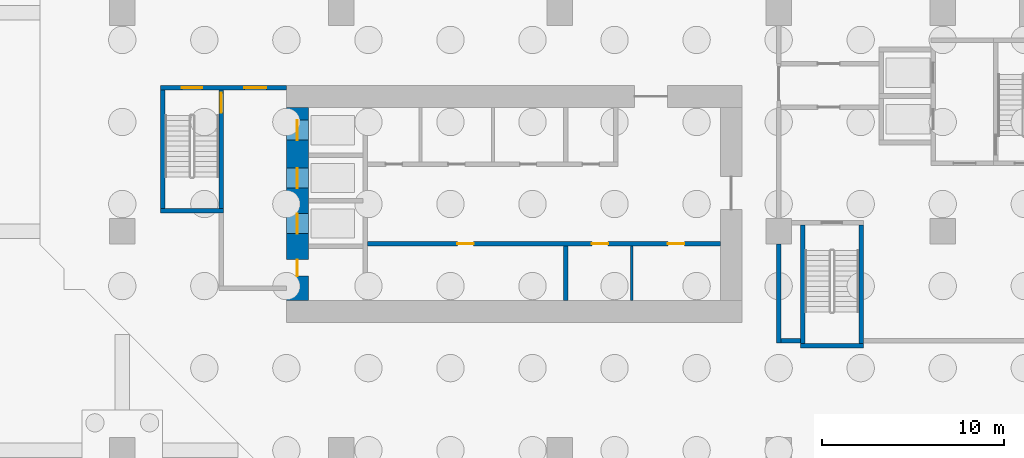
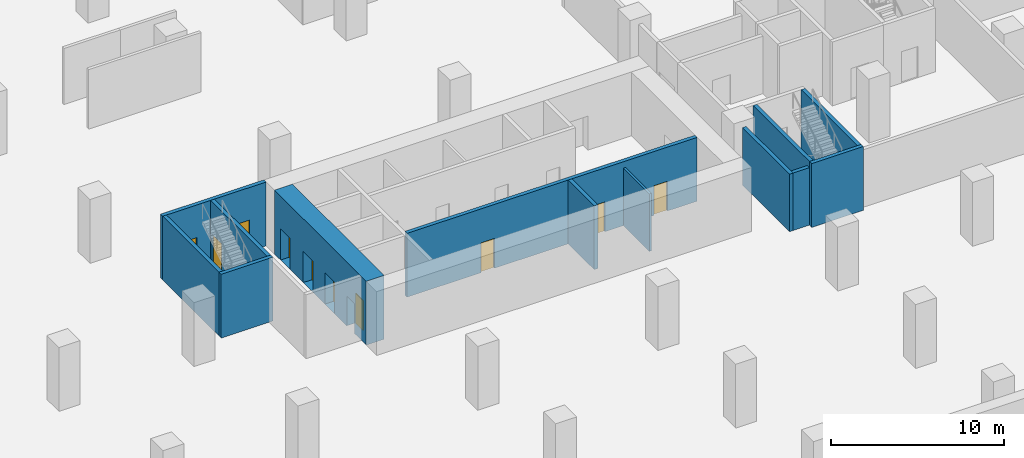
# One storey, part 6 of 13: 13 walls, 10 doors, 10 openings.
"""IFC4 building model written with IfcOpenShell, lengths in metres."""

from ifc_helpers import new_model, si_unit, direction, frame, frame_2d, origin, place, context, subcontext, project, spatial, rectangle, extrude, material, layer, layer_set, type_object, element, fill, save


model = new_model("IFC4")

# Units and contexts
model_context = context("Model", 3, precision=1e-05, world=origin(), true_north=direction((0.0, 1.0)))
body_context = subcontext(model_context, "Body", "Model", "MODEL_VIEW")
ifc_project = project(units=[si_unit("LENGTHUNIT", "METRE"), si_unit("AREAUNIT", "SQUARE_METRE"), si_unit("VOLUMEUNIT", "CUBIC_METRE"), si_unit("PLANEANGLEUNIT", "RADIAN"), si_unit("MASSUNIT", "GRAM", prefix="KILO")], contexts=[model_context])

# Site, building, storey
site_placement = place(None, origin())
site = spatial("IfcSite", under=ifc_project, at=site_placement, CompositionType="ELEMENT")
building_placement = place(site_placement, origin())
building = spatial("IfcBuilding", under=site, at=building_placement, Name="Chenar Terraces", CompositionType="ELEMENT")
storey_placement = place(building_placement, frame((0.0, 0.0, -13.5)))
storey = spatial("IfcBuildingStorey", under=building, at=storey_placement, Name="B3", CompositionType="ELEMENT", Elevation=-13.5)

# Wall
ifc_material_1 = material(Name="Gypsum board on steel studs", Category="steel")
ifc_layer_1 = layer(ifc_material_1, 0.14990234375)
ifc_layer_set_1 = layer_set([ifc_layer_1], Name="Gypsum board on steel studs")
wall_type_1 = type_object("IfcWallType", Name="Core partition 150 gypsum board", PredefinedType="PARTITIONING", material=ifc_layer_set_1)
wall_1_placement = place(storey_placement, frame((27.949951171875, 8.199951171875, 0.0), z_axis=(0.0, 0.0, 1.0), x_axis=(0.0, 1.0, 0.0)))
element("IfcWall", 1, at=wall_1_placement, inside=storey, type_object=wall_type_1, Name="Core partition CP1 freed bay wall", PredefinedType="PARTITIONING", context=body_context, shape_type="SweptSolid", body=[
    extrude(rectangle(XDim=3.0, YDim=0.14990234375, at=frame_2d((1.5, 0.0))), origin(), (0.0, 0.0, 1.0), 4.050048828125),
])

# Wall, openings, doors
ifc_material_2 = material(Name="Concrete C70/85", Category="concrete")
ifc_layer_2 = layer(ifc_material_2, 1.199951171875)
ifc_layer_set_2 = layer_set([ifc_layer_2], Name="Concrete C70/85")
wall_type_2 = type_object("IfcWallType", Name="Core wall 1200 Concrete C70/85", PredefinedType="SHEAR", material=ifc_layer_set_2)
wall_2_placement = place(storey_placement, frame((9.60009765625, 8.199951171875, 0.0), z_axis=(0.0, 0.0, 1.0), x_axis=(0.0, 1.0, 0.0)))
wall_2 = element("IfcWall", 2, at=wall_2_placement, inside=storey, type_object=wall_type_2, Name="Core wall W B3", PredefinedType="SHEAR", context=body_context, shape_type="SweptSolid", body=[
    extrude(rectangle(XDim=10.60009765625, YDim=1.199951171875, at=frame_2d((5.300048828125, 0.0))), origin(), (0.0, 0.0, 1.0), 4.5),
])
opening_1_placement = place(wall_2_placement, frame((3.675048828125, 0.0, 0.0)))
opening_1 = element("IfcOpeningElement", 3, at=opening_1_placement, cuts=wall_2, Name="Opening DB3-LD1", PredefinedType="OPENING", context=body_context, shape_type="SweptSolid", body=[
    extrude(rectangle(XDim=1.10009765625, YDim=2.199951171875, at=frame_2d((0.550048828125, 1.10009765625))), frame((0.0, 0.60986328125, 0.0), z_axis=(0.0, -1.0, 0.0), x_axis=(1.0, 0.0, 0.0)), (0.0, 0.0, 1.0), 1.219970703125),
])
opening_2_placement = place(wall_2_placement, frame((6.175048828125, 0.0, 0.0)))
opening_2 = element("IfcOpeningElement", 4, at=opening_2_placement, cuts=wall_2, Name="Opening DB3-LD2", PredefinedType="OPENING", context=body_context, shape_type="SweptSolid", body=[
    extrude(rectangle(XDim=1.10009765625, YDim=2.199951171875, at=frame_2d((0.550048828125, 1.10009765625))), frame((0.0, 0.60986328125, 0.0), z_axis=(0.0, -1.0, 0.0), x_axis=(1.0, 0.0, 0.0)), (0.0, 0.0, 1.0), 1.219970703125),
])
opening_3_placement = place(wall_2_placement, frame((8.800048828125, 0.0, 0.0)))
opening_3 = element("IfcOpeningElement", 5, at=opening_3_placement, cuts=wall_2, Name="Opening DB3-LD3", PredefinedType="OPENING", context=body_context, shape_type="SweptSolid", body=[
    extrude(rectangle(XDim=1.10009765625, YDim=2.199951171875, at=frame_2d((0.550048828125, 1.10009765625))), frame((0.0, 0.60986328125, 0.0), z_axis=(0.0, -1.0, 0.0), x_axis=(1.0, 0.0, 0.0)), (0.0, 0.0, 1.0), 1.219970703125),
])
opening_4_placement = place(wall_2_placement, frame((1.35009765625, 0.0, 0.0)))
opening_4 = element("IfcOpeningElement", 6, at=opening_4_placement, cuts=wall_2, Name="Opening DB3-C4", PredefinedType="OPENING", context=body_context, shape_type="SweptSolid", body=[
    extrude(rectangle(XDim=0.89990234375, YDim=2.10009765625, at=frame_2d((0.449951171875, 1.050048828125))), frame((0.0, 0.60986328125, 0.0), z_axis=(0.0, -1.0, 0.0), x_axis=(1.0, 0.0, 0.0)), (0.0, 0.0, 1.0), 1.219970703125),
])
ifc_material_3 = material(Name="Stainless steel", Category="steel")
door_type_1 = type_object("IfcDoorType", Name="Lift landing door 1100 x 2200 sliding", OperationType="DOUBLE_DOOR_SLIDING", PredefinedType="DOOR", material=ifc_material_3)
door_1_placement = place(opening_1_placement, origin())
door_1 = element("IfcDoor", 7, at=door_1_placement, inside=storey, type_object=door_type_1, Name="Landing door S1", OperationType="DOUBLE_DOOR_SLIDING", OverallHeight=2.199951171875, OverallWidth=1.10009765625, PredefinedType="DOOR", context=body_context, shape_type="SweptSolid", body=[
    extrude(rectangle(XDim=1.10009765625, YDim=2.199951171875, at=frame_2d((0.550048828125, 1.10009765625))), frame((0.0, 0.02490234375, 0.0), z_axis=(0.0, -1.0, 0.0), x_axis=(1.0, 0.0, 0.0)), (0.0, 0.0, 1.0), 0.050048828125),
])
fill(opening_1, door_1)
door_2_placement = place(opening_2_placement, origin())
door_2 = element("IfcDoor", 8, at=door_2_placement, inside=storey, type_object=door_type_1, Name="Landing door F1", OperationType="DOUBLE_DOOR_SLIDING", OverallHeight=2.199951171875, OverallWidth=1.10009765625, PredefinedType="DOOR", context=body_context, shape_type="SweptSolid", body=[
    extrude(rectangle(XDim=1.10009765625, YDim=2.199951171875, at=frame_2d((0.550048828125, 1.10009765625))), frame((0.0, 0.02490234375, 0.0), z_axis=(0.0, -1.0, 0.0), x_axis=(1.0, 0.0, 0.0)), (0.0, 0.0, 1.0), 0.050048828125),
])
fill(opening_2, door_2)
door_3_placement = place(opening_3_placement, origin())
door_3 = element("IfcDoor", 9, at=door_3_placement, inside=storey, type_object=door_type_1, Name="Landing door F2", OperationType="DOUBLE_DOOR_SLIDING", OverallHeight=2.199951171875, OverallWidth=1.10009765625, PredefinedType="DOOR", context=body_context, shape_type="SweptSolid", body=[
    extrude(rectangle(XDim=1.10009765625, YDim=2.199951171875, at=frame_2d((0.550048828125, 1.10009765625))), frame((0.0, 0.02490234375, 0.0), z_axis=(0.0, -1.0, 0.0), x_axis=(1.0, 0.0, 0.0)), (0.0, 0.0, 1.0), 0.050048828125),
])
fill(opening_3, door_3)
ifc_material_4 = material(Name="Steel-framed fire-resisting door leaf", Category="steel")
door_type_2 = type_object("IfcDoorType", Name="Riser fire door FD60 900 x 2100", OperationType="SINGLE_SWING_LEFT", PredefinedType="DOOR", material=ifc_material_4)
door_4_placement = place(opening_4_placement, frame((0.89990234375, 0.0, 0.0), z_axis=(0.0, 0.0, 1.0), x_axis=(-1.0, 0.0, 0.0)))
door_4 = element("IfcDoor", 10, at=door_4_placement, inside=storey, type_object=door_type_2, Name="Riser door DB3-C4", OperationType="SINGLE_SWING_RIGHT", OverallHeight=2.10009765625, OverallWidth=0.89990234375, PredefinedType="DOOR", context=body_context, shape_type="SweptSolid", body=[
    extrude(rectangle(XDim=0.89990234375, YDim=2.10009765625, at=frame_2d((0.449951171875, 1.050048828125))), frame((0.0, 0.02490234375, 0.0), z_axis=(0.0, -1.0, 0.0), x_axis=(1.0, 0.0, 0.0)), (0.0, 0.0, 1.0), 0.050048828125),
])
fill(opening_4, door_4)

ifc_material_5 = material(Name="Concrete C70/85", Category="concrete")
ifc_layer_3 = layer(ifc_material_5, 0.25)
ifc_layer_set_3 = layer_set([ifc_layer_3], Name="Concrete C70/85")
wall_type_3 = type_object("IfcWallType", Name="Core wall 250 Concrete C70/85", PredefinedType="SHEAR", material=ifc_layer_set_3)
wall_3_placement = place(storey_placement, frame((13.449951171875, 11.324951171875, 0.0), z_axis=(0.0, 0.0, 1.0), x_axis=(1.0, 0.0, 0.0)))
wall_3 = element("IfcWall", 11, at=wall_3_placement, inside=storey, type_object=wall_type_3, Name="Core wall SF B3", PredefinedType="SHEAR", context=body_context, shape_type="SweptSolid", body=[
    extrude(rectangle(XDim=19.35009765625, YDim=0.25, at=frame_2d((9.675048828125, 0.0))), origin(), (0.0, 0.0, 1.0), 4.5),
])
opening_5_placement = place(wall_3_placement, frame((4.925048828125, 0.0, 0.0)))
opening_5 = element("IfcOpeningElement", 12, at=opening_5_placement, cuts=wall_3, Name="Opening DB3-C12", PredefinedType="OPENING", context=body_context, shape_type="SweptSolid", body=[
    extrude(rectangle(XDim=0.89990234375, YDim=2.10009765625, at=frame_2d((0.449951171875, 1.050048828125))), frame((0.0, 0.135009765625, 0.0), z_axis=(0.0, -1.0, 0.0), x_axis=(1.0, 0.0, 0.0)), (0.0, 0.0, 1.0), 0.27001953125),
])
opening_6_placement = place(wall_3_placement, frame((12.300048828125, 0.0, 0.0)))
opening_6 = element("IfcOpeningElement", 13, at=opening_6_placement, cuts=wall_3, Name="Opening DB3-C13", PredefinedType="OPENING", context=body_context, shape_type="SweptSolid", body=[
    extrude(rectangle(XDim=0.89990234375, YDim=2.10009765625, at=frame_2d((0.449951171875, 1.050048828125))), frame((0.0, 0.135009765625, 0.0), z_axis=(0.0, -1.0, 0.0), x_axis=(1.0, 0.0, 0.0)), (0.0, 0.0, 1.0), 0.27001953125),
])
opening_7_placement = place(wall_3_placement, frame((16.47509765625, 0.0, 0.0)))
opening_7 = element("IfcOpeningElement", 14, at=opening_7_placement, cuts=wall_3, Name="Opening DB3-C14", PredefinedType="OPENING", context=body_context, shape_type="SweptSolid", body=[
    extrude(rectangle(XDim=0.89990234375, YDim=2.10009765625, at=frame_2d((0.449951171875, 1.050048828125))), frame((0.0, 0.135009765625, 0.0), z_axis=(0.0, -1.0, 0.0), x_axis=(1.0, 0.0, 0.0)), (0.0, 0.0, 1.0), 0.27001953125),
])
door_5_placement = place(opening_5_placement, frame((0.89990234375, 0.0, 0.0), z_axis=(0.0, 0.0, 1.0), x_axis=(-1.0, 0.0, 0.0)))
door_5 = element("IfcDoor", 15, at=door_5_placement, inside=storey, type_object=door_type_2, Name="Core room door DB3-C12", OperationType="SINGLE_SWING_LEFT", OverallHeight=2.10009765625, OverallWidth=0.89990234375, PredefinedType="DOOR", context=body_context, shape_type="SweptSolid", body=[
    extrude(rectangle(XDim=0.89990234375, YDim=2.10009765625, at=frame_2d((0.449951171875, 1.050048828125))), frame((0.0, 0.02490234375, 0.0), z_axis=(0.0, -1.0, 0.0), x_axis=(1.0, 0.0, 0.0)), (0.0, 0.0, 1.0), 0.050048828125),
])
fill(opening_5, door_5)
door_6_placement = place(opening_6_placement, frame((0.89990234375, 0.0, 0.0), z_axis=(0.0, 0.0, 1.0), x_axis=(-1.0, 0.0, 0.0)))
door_6 = element("IfcDoor", 16, at=door_6_placement, inside=storey, type_object=door_type_2, Name="Core room door DB3-C13", OperationType="SINGLE_SWING_LEFT", OverallHeight=2.10009765625, OverallWidth=0.89990234375, PredefinedType="DOOR", context=body_context, shape_type="SweptSolid", body=[
    extrude(rectangle(XDim=0.89990234375, YDim=2.10009765625, at=frame_2d((0.449951171875, 1.050048828125))), frame((0.0, 0.02490234375, 0.0), z_axis=(0.0, -1.0, 0.0), x_axis=(1.0, 0.0, 0.0)), (0.0, 0.0, 1.0), 0.050048828125),
])
fill(opening_6, door_6)
door_7_placement = place(opening_7_placement, frame((0.89990234375, 0.0, 0.0), z_axis=(0.0, 0.0, 1.0), x_axis=(-1.0, 0.0, 0.0)))
door_7 = element("IfcDoor", 17, at=door_7_placement, inside=storey, type_object=door_type_2, Name="Core room door DB3-C14", OperationType="SINGLE_SWING_LEFT", OverallHeight=2.10009765625, OverallWidth=0.89990234375, PredefinedType="DOOR", context=body_context, shape_type="SweptSolid", body=[
    extrude(rectangle(XDim=0.89990234375, YDim=2.10009765625, at=frame_2d((0.449951171875, 1.050048828125))), frame((0.0, 0.02490234375, 0.0), z_axis=(0.0, -1.0, 0.0), x_axis=(1.0, 0.0, 0.0)), (0.0, 0.0, 1.0), 0.050048828125),
])
fill(opening_7, door_7)

# Wall
wall_4_placement = place(storey_placement, frame((24.324951171875, 8.199951171875, 0.0), z_axis=(0.0, 0.0, 1.0), x_axis=(0.0, 1.0, 0.0)))
element("IfcWall", 18, at=wall_4_placement, inside=storey, type_object=wall_type_3, Name="Core wall SS3 B3", PredefinedType="SHEAR", context=body_context, shape_type="SweptSolid", body=[
    extrude(rectangle(XDim=3.0, YDim=0.25, at=frame_2d((1.5, 0.0))), origin(), (0.0, 0.0, 1.0), 4.5),
])

# Wall, openings, doors
wall_5_placement = place(storey_placement, frame((2.10009765625, 19.875, 0.0), z_axis=(0.0, 0.0, 1.0), x_axis=(1.0, 0.0, 0.0)))
wall_5 = element("IfcWall", 19, at=wall_5_placement, inside=storey, type_object=wall_type_3, Name="Core wall A_N B3", PredefinedType="SHEAR", context=body_context, shape_type="SweptSolid", body=[
    extrude(rectangle(XDim=6.89990234375, YDim=0.25, at=frame_2d((3.449951171875, 0.0))), origin(), (0.0, 0.0, 1.0), 4.5),
])
opening_8_placement = place(wall_5_placement, frame((1.175048828125, 0.0, 0.0)))
opening_8 = element("IfcOpeningElement", 20, at=opening_8_placement, cuts=wall_5, Name="Opening DB3-C5", PredefinedType="OPENING", context=body_context, shape_type="SweptSolid", body=[
    extrude(rectangle(XDim=1.10009765625, YDim=2.199951171875, at=frame_2d((0.550048828125, 1.10009765625))), frame((0.0, 0.135009765625, 0.0), z_axis=(0.0, -1.0, 0.0), x_axis=(1.0, 0.0, 0.0)), (0.0, 0.0, 1.0), 0.27001953125),
])
opening_9_placement = place(wall_5_placement, frame((4.60009765625, 0.0, 0.0)))
opening_9 = element("IfcOpeningElement", 21, at=opening_9_placement, cuts=wall_5, Name="Opening DB3-C6", PredefinedType="OPENING", context=body_context, shape_type="SweptSolid", body=[
    extrude(rectangle(XDim=1.199951171875, YDim=2.199951171875, at=frame_2d((0.60009765625, 1.10009765625))), frame((0.0, 0.135009765625, 0.0), z_axis=(0.0, -1.0, 0.0), x_axis=(1.0, 0.0, 0.0)), (0.0, 0.0, 1.0), 0.27001953125),
])
ifc_material_6 = material(Name="Steel-framed fire-resisting door leaf", Category="steel")
door_type_3 = type_object("IfcDoorType", Name="Lobby fire door FD60 1200 x 2200", OperationType="SINGLE_SWING_LEFT", PredefinedType="DOOR", material=ifc_material_6)
door_8_placement = place(opening_9_placement, origin())
door_8 = element("IfcDoor", 22, at=door_8_placement, inside=storey, type_object=door_type_3, Name="Core door DB3-C6", OperationType="SINGLE_SWING_LEFT", OverallHeight=2.199951171875, OverallWidth=1.199951171875, PredefinedType="DOOR", context=body_context, shape_type="SweptSolid", body=[
    extrude(rectangle(XDim=1.199951171875, YDim=2.199951171875, at=frame_2d((0.60009765625, 1.10009765625))), frame((0.0, 0.02490234375, 0.0), z_axis=(0.0, -1.0, 0.0), x_axis=(1.0, 0.0, 0.0)), (0.0, 0.0, 1.0), 0.050048828125),
])
fill(opening_9, door_8)
ifc_material_7 = material(Name="Steel-framed fire-resisting door leaf", Category="steel")
door_type_4 = type_object("IfcDoorType", Name="Stair fire door FD60 1100 x 2200", OperationType="SINGLE_SWING_LEFT", PredefinedType="DOOR", material=ifc_material_7)
door_9_placement = place(opening_8_placement, origin())
door_9 = element("IfcDoor", 23, at=door_9_placement, inside=storey, type_object=door_type_4, Name="Stair door DB3-C5", OperationType="SINGLE_SWING_LEFT", OverallHeight=2.199951171875, OverallWidth=1.10009765625, PredefinedType="DOOR", context=body_context, shape_type="SweptSolid", body=[
    extrude(rectangle(XDim=1.10009765625, YDim=2.199951171875, at=frame_2d((0.550048828125, 1.10009765625))), frame((0.0, 0.02490234375, 0.0), z_axis=(0.0, -1.0, 0.0), x_axis=(1.0, 0.0, 0.0)), (0.0, 0.0, 1.0), 0.050048828125),
])
fill(opening_8, door_9)

# Walls
wall_6_placement = place(storey_placement, frame((2.10009765625, 13.125, 0.0), z_axis=(0.0, 0.0, 1.0), x_axis=(1.0, 0.0, 0.0)))
element("IfcWall", 24, at=wall_6_placement, inside=storey, type_object=wall_type_3, Name="Core wall ST1_S B3", PredefinedType="SHEAR", context=body_context, shape_type="SweptSolid", body=[
    extrude(rectangle(XDim=3.449951171875, YDim=0.25, at=frame_2d((1.72509765625, 0.0))), origin(), (0.0, 0.0, 1.0), 4.5),
])
wall_7_placement = place(storey_placement, frame((2.22509765625, 13.25, 0.0), z_axis=(0.0, 0.0, 1.0), x_axis=(0.0, 1.0, 0.0)))
element("IfcWall", 25, at=wall_7_placement, inside=storey, type_object=wall_type_3, Name="Core wall ST1_W B3", PredefinedType="SHEAR", context=body_context, shape_type="SweptSolid", body=[
    extrude(rectangle(XDim=6.5, YDim=0.25, at=frame_2d((3.25, 0.0))), origin(), (0.0, 0.0, 1.0), 4.5),
])

# Wall, opening, door
wall_8_placement = place(storey_placement, frame((5.425048828125, 13.25, 0.0), z_axis=(0.0, 0.0, 1.0), x_axis=(0.0, 1.0, 0.0)))
wall_8 = element("IfcWall", 26, at=wall_8_placement, inside=storey, type_object=wall_type_3, Name="Core wall ST1_E B3", PredefinedType="SHEAR", context=body_context, shape_type="SweptSolid", body=[
    extrude(rectangle(XDim=6.5, YDim=0.25, at=frame_2d((3.25, 0.0))), origin(), (0.0, 0.0, 1.0), 4.5),
])
opening_10_placement = place(wall_8_placement, frame((5.25, 0.0, 0.0)))
opening_10 = element("IfcOpeningElement", 27, at=opening_10_placement, cuts=wall_8, Name="Opening DB3-C3", PredefinedType="OPENING", context=body_context, shape_type="SweptSolid", body=[
    extrude(rectangle(XDim=1.10009765625, YDim=2.199951171875, at=frame_2d((0.550048828125, 1.10009765625))), frame((0.0, 0.135009765625, 0.0), z_axis=(0.0, -1.0, 0.0), x_axis=(1.0, 0.0, 0.0)), (0.0, 0.0, 1.0), 0.27001953125),
])
door_10_placement = place(opening_10_placement, origin())
door_10 = element("IfcDoor", 28, at=door_10_placement, inside=storey, type_object=door_type_4, Name="Stair door DB3-C3", OperationType="SINGLE_SWING_RIGHT", OverallHeight=2.199951171875, OverallWidth=1.10009765625, PredefinedType="DOOR", context=body_context, shape_type="SweptSolid", body=[
    extrude(rectangle(XDim=1.10009765625, YDim=2.199951171875, at=frame_2d((0.550048828125, 1.10009765625))), frame((0.0, 0.02490234375, 0.0), z_axis=(0.0, -1.0, 0.0), x_axis=(1.0, 0.0, 0.0)), (0.0, 0.0, 1.0), 0.050048828125),
])
fill(opening_10, door_10)

# Walls
wall_9_placement = place(storey_placement, frame((37.199951171875, 5.72509765625, 0.0), z_axis=(0.0, 0.0, 1.0), x_axis=(1.0, 0.0, 0.0)))
element("IfcWall", 29, at=wall_9_placement, inside=storey, type_object=wall_type_3, Name="Core wall ST2_S B3", PredefinedType="SHEAR", context=body_context, shape_type="SweptSolid", body=[
    extrude(rectangle(XDim=3.449951171875, YDim=0.25, at=frame_2d((1.72509765625, 0.0))), origin(), (0.0, 0.0, 1.0), 4.5),
])
for number, where, z_axis, x_axis, name in (
    (30, (37.324951171875, 5.85009765625, 0.0), (0.0, 0.0, 1.0), (0.0, 1.0, 0.0), "Core wall ST2_W B3"),
    (31, (40.52490234375, 5.85009765625, 0.0), (0.0, 0.0, 1.0), (0.0, 1.0, 0.0), "Core wall ST2_E B3"),
):
    element("IfcWall", number, at=place(storey_placement, frame(where, z_axis=z_axis, x_axis=x_axis)), inside=storey, type_object=wall_type_3, Name=name, PredefinedType="SHEAR", context=body_context, shape_type="SweptSolid", body=[
        extrude(rectangle(XDim=6.5, YDim=0.25, at=frame_2d((3.25, 0.0))), origin(), (0.0, 0.0, 1.0), 4.5),
    ])
ifc_material_8 = material(Name="Fire-board and steel stud wall with mineral wool", Category="steel")
ifc_layer_4 = layer(ifc_material_8, 0.25)
ifc_layer_set_4 = layer_set([ifc_layer_4], Name="Fire-board and steel stud wall with mineral wool")
wall_type_4 = type_object("IfcWallType", Name="Plant room wall 250", PredefinedType="PARTITIONING", material=ifc_layer_set_4)
wall_10_placement = place(storey_placement, frame((36.0, 5.875, 0.0), z_axis=(0.0, 0.0, 1.0), x_axis=(0.0, 1.0, 0.0)))
element("IfcWall", 32, at=wall_10_placement, inside=storey, type_object=wall_type_4, Name="Partition B3-005", PredefinedType="PARTITIONING", context=body_context, shape_type="SweptSolid", body=[
    extrude(rectangle(XDim=5.426025390625, YDim=0.25, at=frame_2d((2.712890625, 0.0))), origin(), (0.0, 0.0, 1.0), 4.050048828125),
])
wall_11_placement = place(storey_placement, frame((36.125, 6.0, 0.0), z_axis=(0.0, 0.0, 1.0), x_axis=(1.0, 0.0, 0.0)))
element("IfcWall", 33, at=wall_11_placement, inside=storey, type_object=wall_type_4, Name="Partition B3-012", PredefinedType="PARTITIONING", context=body_context, shape_type="SweptSolid", body=[
    extrude(rectangle(XDim=1.074951171875, YDim=0.25, at=frame_2d((0.53759765625, 0.0))), origin(), (0.0, 0.0, 1.0), 4.050048828125),
])

save(model, "model.ifc")
